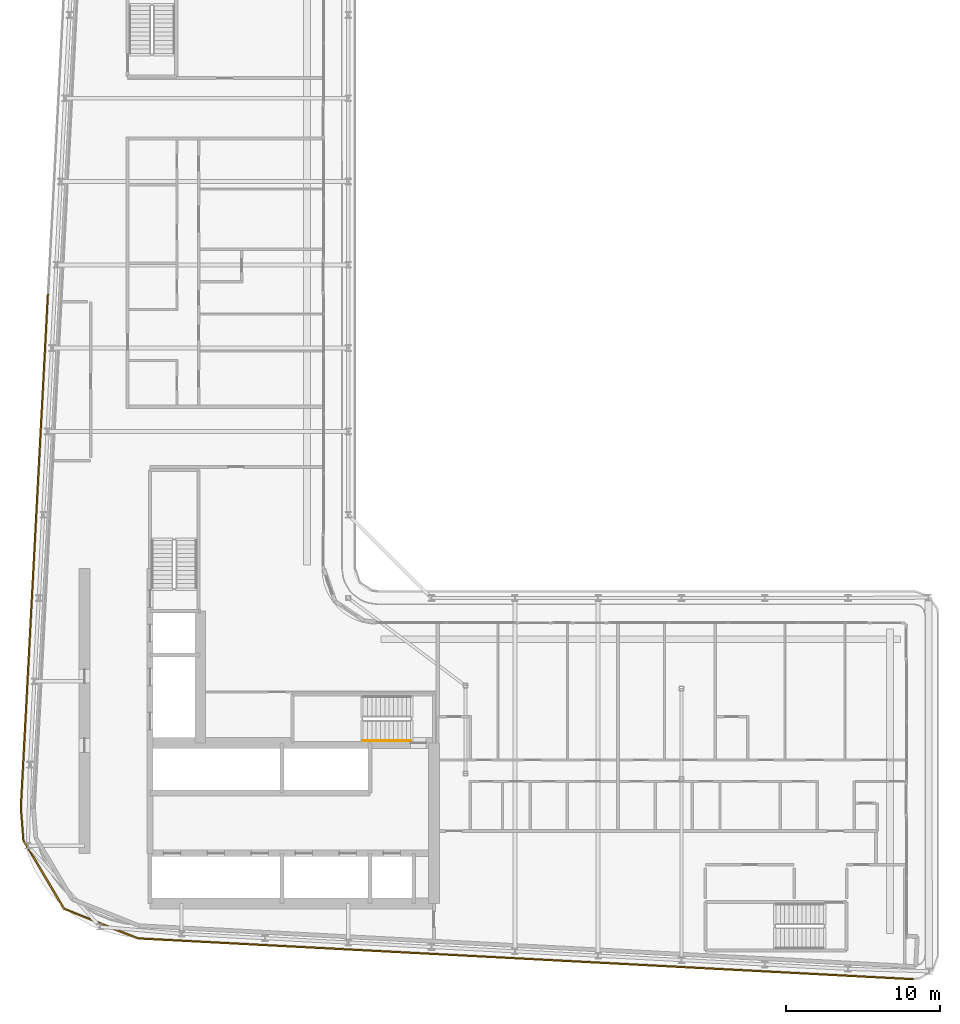
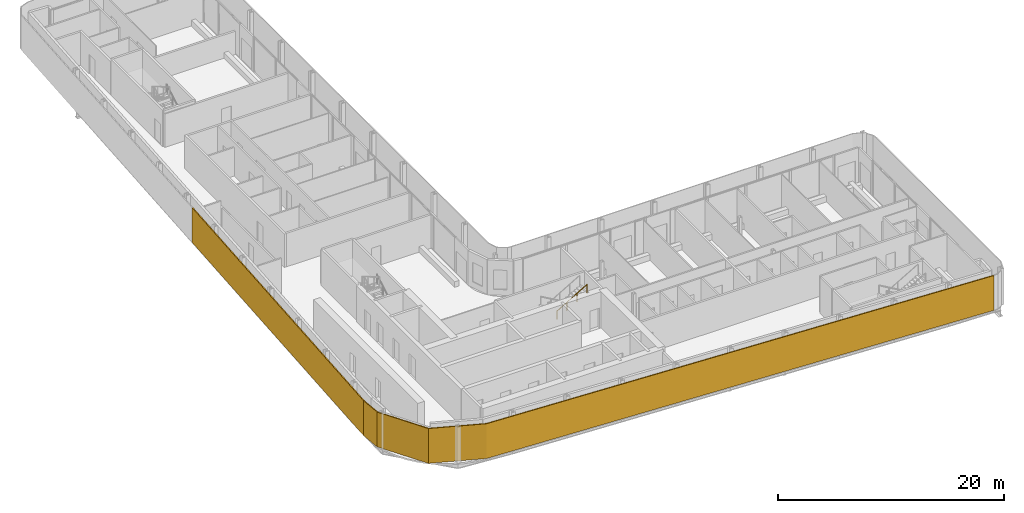
# One storey, part 16 of 22: 2 shading devices, 1 railing.
"""IFC4 building model written with IfcOpenShell, lengths in metres."""

from ifc_helpers import new_model, si_unit, direction, frame, origin, origin_2d, place, context, subcontext, project, spatial, polyline, rectangle, circle, outline, extrude, material, layer, layer_set, type_object, element, save


model = new_model("IFC4")

# Units and contexts
model_context = context("Model", 3, precision=1e-05, world=origin(), true_north=direction((0.0, 1.0)))
body_context = subcontext(model_context, "Body", "Model", "MODEL_VIEW")
ifc_project = project(units=[si_unit("LENGTHUNIT", "METRE"), si_unit("AREAUNIT", "SQUARE_METRE"), si_unit("VOLUMEUNIT", "CUBIC_METRE"), si_unit("PLANEANGLEUNIT", "RADIAN"), si_unit("MASSUNIT", "GRAM", prefix="KILO")], contexts=[model_context])

# Site, building, storey
site_placement = place(None, origin())
site = spatial("IfcSite", under=ifc_project, at=site_placement, CompositionType="ELEMENT")
building_placement = place(site_placement, origin())
building = spatial("IfcBuilding", under=site, at=building_placement, Name="Kheshtan School and Residences Tower", CompositionType="ELEMENT")
storey_placement = place(building_placement, frame((0.0, 0.0, 263.0)))
storey = spatial("IfcBuildingStorey", under=building, at=storey_placement, Name="L62", CompositionType="ELEMENT", Elevation=263.0)

# Shading devices
ifc_material_1 = material(Name="Terracotta baguette, extruded ceramic", Category="masonry")
ifc_layer = layer(ifc_material_1, 0.10009765625)
ifc_layer_set = layer_set([ifc_layer], Name="Ledge screen, terracotta baguettes")
shading_device_type = type_object("IfcShadingDeviceType", Name="Ledge screen, terracotta baguettes", PredefinedType="USERDEFINED", material=ifc_layer_set)
shading_device_1_placement = place(storey_placement, origin())
element("IfcShadingDevice", 1, at=shading_device_1_placement, inside=storey, type_object=shading_device_type, Name="Screen L62 3", ObjectType="BAGUETTE", PredefinedType="USERDEFINED", context=body_context, shape_type="SweptSolid", body=[
    extrude(outline(polyline([(84.220947265625, 20.93603515625), (33.989013671875, 23.580078125), (29.2119140625, 25.486083984375), (26.583984375, 29.906982421875), (26.419921875, 31.989013671875), (26.320068359375, 31.98095703125), (26.486083984375, 29.8759765625), (29.14306640625, 25.406005859375), (33.967041015625, 23.48095703125), (84.216064453125, 20.8359375), (84.220947265625, 20.93603515625)])), origin(), (0.0, 0.0, 1.0), 3.75),
])
shading_device_2_placement = place(storey_placement, frame((27.24609375, 48.638916015625, 0.0), z_axis=(0.0, 0.0, 1.0), x_axis=(0.052562536748, 0.998617634398, 0.0)))
element("IfcShadingDevice", 2, at=shading_device_2_placement, inside=storey, type_object=shading_device_type, Name="Screen L62 4", ObjectType="BAGUETTE", PredefinedType="USERDEFINED", context=body_context, shape_type="SweptSolid", body=[
    extrude(rectangle(XDim=33.341064453125, YDim=0.10009765625, at=origin_2d()), origin(), (0.0, 0.0, 1.0), 3.75),
])

# Railing
ifc_material_2 = material(Name="Stainless steel handrail", Category="steel")
railing_type = type_object("IfcRailingType", Name="Stair handrail 900", PredefinedType="HANDRAIL", material=ifc_material_2)
railing_placement = place(storey_placement, frame((48.570068359375, 36.35009765625, 2.112548828125)))
element("IfcRailing", 3, at=railing_placement, inside=storey, type_object=railing_type, Name="L62 ST1 stair handrail 2", PredefinedType="HANDRAIL", context=body_context, shape_type="SweptSolid", body=[
    extrude(circle(Radius=0.02392578125, at=origin_2d()), frame((0.0, 0.0, 0.8759765625), z_axis=(0.864903211148, 0.0, 0.501938676878), x_axis=(0.0, 1.0, 0.0)), (0.0, 0.0, 1.0), 3.560791015625),
    extrude(circle(Radius=0.02099609375, at=origin_2d()), origin(), (0.0, 0.0, 1.0), 0.851806640625),
    extrude(circle(Radius=0.02099609375, at=origin_2d()), frame((1.026611328125, 0.0, 0.595703125)), (0.0, 0.0, 1.0), 0.851806640625),
    extrude(circle(Radius=0.02099609375, at=origin_2d()), frame((2.05322265625, 0.0, 1.191650390625)), (0.0, 0.0, 1.0), 0.851806640625),
    extrude(circle(Radius=0.02099609375, at=origin_2d()), frame((3.079833984375, 0.0, 1.787353515625)), (0.0, 0.0, 1.0), 0.851806640625),
])

save(model, "model.ifc")
